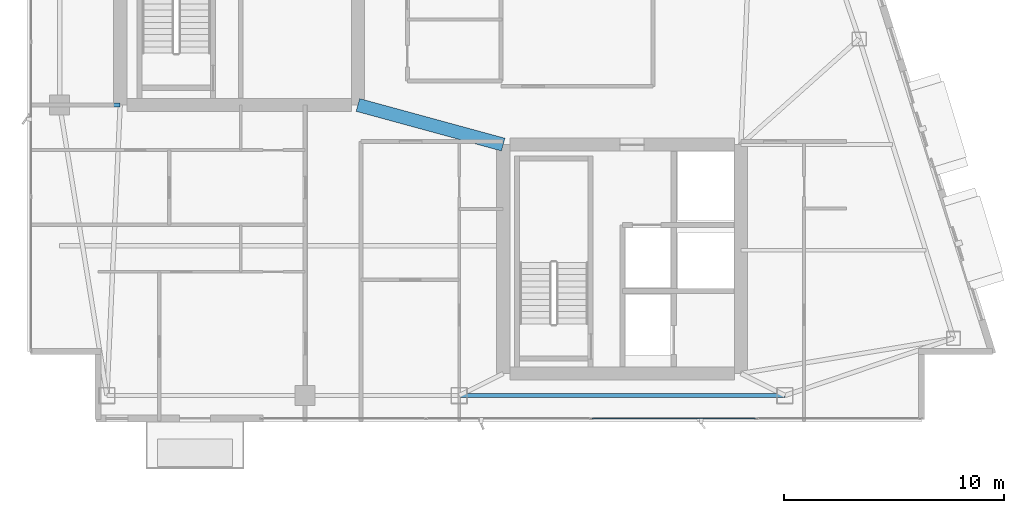
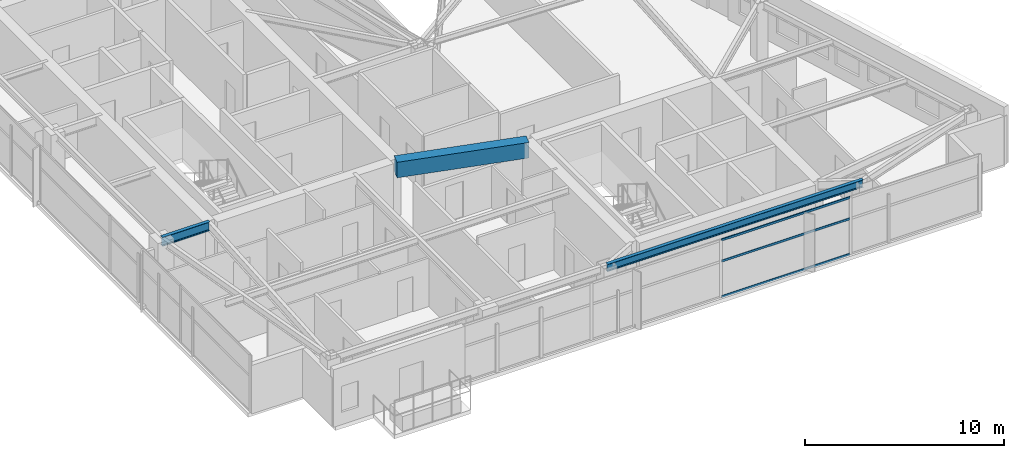
# One storey, part 7 of 27: 3 beams, 3 members, 1 element without a shape of its own.
"""IFC4 building model written with IfcOpenShell, lengths in metres."""

from ifc_helpers import new_model, si_unit, direction, frame, origin, origin_2d, place, context, subcontext, project, spatial, rectangle, hollow_rectangle, i_section, extrude, material, layer, layer_set, material_profile, profile_set, type_object, element, aggregate, save


model = new_model("IFC4")

# Units and contexts
model_context = context("Model", 3, precision=1e-05, world=origin(), true_north=direction((0.0, 1.0)))
body_context = subcontext(model_context, "Body", "Model", "MODEL_VIEW")
ifc_project = project(units=[si_unit("LENGTHUNIT", "METRE"), si_unit("AREAUNIT", "SQUARE_METRE"), si_unit("VOLUMEUNIT", "CUBIC_METRE"), si_unit("PLANEANGLEUNIT", "RADIAN"), si_unit("MASSUNIT", "GRAM", prefix="KILO")], contexts=[model_context])

# Site, building, storey
site_placement = place(None, origin())
site = spatial("IfcSite", under=ifc_project, at=site_placement, CompositionType="ELEMENT")
building_placement = place(site_placement, origin())
building = spatial("IfcBuilding", under=site, at=building_placement, Name="Calvorn Quay Hotel", CompositionType="ELEMENT")
storey_placement = place(building_placement, frame((0.0, 0.0, 278.699951171875)))
storey = spatial("IfcBuildingStorey", under=building, at=storey_placement, Name="L69", CompositionType="ELEMENT", Elevation=278.699951171875)

# Beams
ifc_material_1 = material(Name="Steel Q355B", Category="steel")
ifc_material_profile_1 = material_profile(ifc_material_1, i_section(OverallWidth=0.199951171875, OverallDepth=0.550048828125, WebThickness=0.010009765625, FlangeThickness=0.01611328125, FilletRadius=0.01806640625, at=origin_2d()), Name="HN550x200x10x16")
ifc_profile_set_1 = profile_set([ifc_material_profile_1], Name="Steel Q355B")
beam_type_1 = type_object("IfcBeamType", Name="BM-GIRD-UPP", PredefinedType="BEAM", material=ifc_profile_set_1)
beam_1_placement = place(storey_placement, frame((1.449951171875, 16.800048828125, 3.2451171875), z_axis=(1.0, 0.0, 0.0), x_axis=(0.0, 1.0, 0.0)))
element("IfcBeam", 1, at=beam_1_placement, inside=storey, type_object=beam_type_1, Name="Beam BG-L69-W1", PredefinedType="BEAM", context=body_context, shape_type="SweptSolid", body=[
    extrude(i_section(OverallWidth=0.199951171875, OverallDepth=0.550048828125, WebThickness=0.010009765625, FlangeThickness=0.01611328125, FilletRadius=0.01806640625, at=origin_2d()), origin(), (0.0, 0.0, 1.0), 2.75),
])
ifc_material_2 = material(Name="Concrete C45", Category="concrete")
ifc_material_profile_2 = material_profile(ifc_material_2, rectangle(XDim=0.60009765625, YDim=0.949951171875, at=origin_2d()), Name="RCB600x950")
ifc_profile_set_2 = profile_set([ifc_material_profile_2], Name="Concrete C45")
beam_type_2 = type_object("IfcBeamType", Name="BM-RC-LINK-600x950", PredefinedType="BEAM", material=ifc_profile_set_2)
beam_2_placement = place(storey_placement, frame((15.0, 16.800048828125, 3.045166015625), z_axis=(0.964762997686, -0.263120425462, 0.0), x_axis=(0.263120425462, 0.964762997686, 0.0)))
element("IfcBeam", 2, at=beam_2_placement, inside=storey, type_object=beam_type_2, Name="Beam BCL-L69-01", PredefinedType="BEAM", context=body_context, shape_type="SweptSolid", body=[
    extrude(rectangle(XDim=0.60009765625, YDim=0.949951171875, at=origin_2d()), origin(), (0.0, 0.0, 1.0), 6.841064453125),
])
ifc_material_3 = material(Name="Steel Q355B", Category="steel")
ifc_material_profile_3 = material_profile(ifc_material_3, i_section(OverallWidth=0.199951171875, OverallDepth=0.449951171875, WebThickness=0.009033203125, FlangeThickness=0.013916015625, FilletRadius=0.01611328125, at=origin_2d()), Name="HN450x200x9x14")
ifc_profile_set_3 = profile_set([ifc_material_profile_3], Name="Steel Q355B")
beam_type_3 = type_object("IfcBeamType", Name="BM-SPANDREL-Z3", PredefinedType="SPANDREL", material=ifc_profile_set_3)
beam_3_placement = place(storey_placement, frame((19.60009765625, 3.60009765625, 3.295166015625), z_axis=(1.0, 0.0, 0.0), x_axis=(0.0, 1.0, 0.0)))
element("IfcBeam", 3, at=beam_3_placement, inside=storey, type_object=beam_type_3, Name="Beam BSP-L69-S3", PredefinedType="SPANDREL", context=body_context, shape_type="SweptSolid", body=[
    extrude(i_section(OverallWidth=0.199951171875, OverallDepth=0.449951171875, WebThickness=0.009033203125, FlangeThickness=0.013916015625, FilletRadius=0.01611328125, at=origin_2d()), origin(), (0.0, 0.0, 1.0), 14.7998046875),
])

# Curtain wall, members
ifc_material_4 = material(Name="Champagne Bronze Anodised Aluminium and Low-E Glass", Category="aluminium")
ifc_layer = layer(ifc_material_4, 0.219970703125)
ifc_layer_set = layer_set([ifc_layer], Name="CW-SYS-Z4")
curtain_wall_type = type_object("IfcCurtainWallType", Name="CW-SYS-Z4", PredefinedType="NOTDEFINED", material=ifc_layer_set)
curtain_wall_placement = place(storey_placement, origin())
curtain_wall = element("IfcCurtainWall", 4, at=curtain_wall_placement, inside=storey, type_object=curtain_wall_type, Name="Tower South Waterfront Curtain Wall (L69)", PredefinedType="NOTDEFINED")
ifc_material_5 = material(Name="Champagne Bronze Anodised Aluminium 6063-T6", Category="aluminium")
ifc_material_profile_4 = material_profile(ifc_material_5, hollow_rectangle(XDim=0.054931640625, YDim=0.1298828125, WallThickness=0.003173828125, at=origin_2d()), Name="ALU-T130x55x3.2")
ifc_profile_set_4 = profile_set([ifc_material_profile_4], Name="Champagne Bronze Anodised Aluminium 6063-T6")
member_type = type_object("IfcMemberType", Name="CW-SYS-Z4-TRN", PredefinedType="USERDEFINED", material=ifc_profile_set_4)
member_1_placement = place(storey_placement, frame((25.6298828125, 2.550048828125, 0.030029296875), z_axis=(1.0, 0.0, 0.0), x_axis=(0.0, 1.0, 0.0)))
member_1 = element("IfcMember", 5, at=member_1_placement, type_object=member_type, Name="CW-L69-S transom 3.1", ObjectType="TRANSOM", PredefinedType="USERDEFINED", context=body_context, shape_type="SweptSolid", body=[
    extrude(hollow_rectangle(XDim=0.054931640625, YDim=0.1298828125, WallThickness=0.003173828125, at=origin_2d()), origin(), (0.0, 0.0, 1.0), 7.440185546875),
])
member_2_placement = place(storey_placement, frame((25.6298828125, 2.550048828125, 2.199951171875), z_axis=(1.0, 0.0, 0.0), x_axis=(0.0, 1.0, 0.0)))
member_2 = element("IfcMember", 6, at=member_2_placement, type_object=member_type, Name="CW-L69-S transom 3.2", ObjectType="TRANSOM", PredefinedType="USERDEFINED", context=body_context, shape_type="SweptSolid", body=[
    extrude(hollow_rectangle(XDim=0.054931640625, YDim=0.1298828125, WallThickness=0.003173828125, at=origin_2d()), origin(), (0.0, 0.0, 1.0), 7.440185546875),
])
member_3_placement = place(storey_placement, frame((25.6298828125, 2.550048828125, 3.489990234375), z_axis=(1.0, 0.0, 0.0), x_axis=(0.0, 1.0, 0.0)))
member_3 = element("IfcMember", 7, at=member_3_placement, type_object=member_type, Name="CW-L69-S transom 3.3", ObjectType="TRANSOM", PredefinedType="USERDEFINED", context=body_context, shape_type="SweptSolid", body=[
    extrude(hollow_rectangle(XDim=0.054931640625, YDim=0.1298828125, WallThickness=0.003173828125, at=origin_2d()), origin(), (0.0, 0.0, 1.0), 7.440185546875),
])
aggregate(curtain_wall, [member_1, member_2, member_3])

save(model, "model.ifc")
